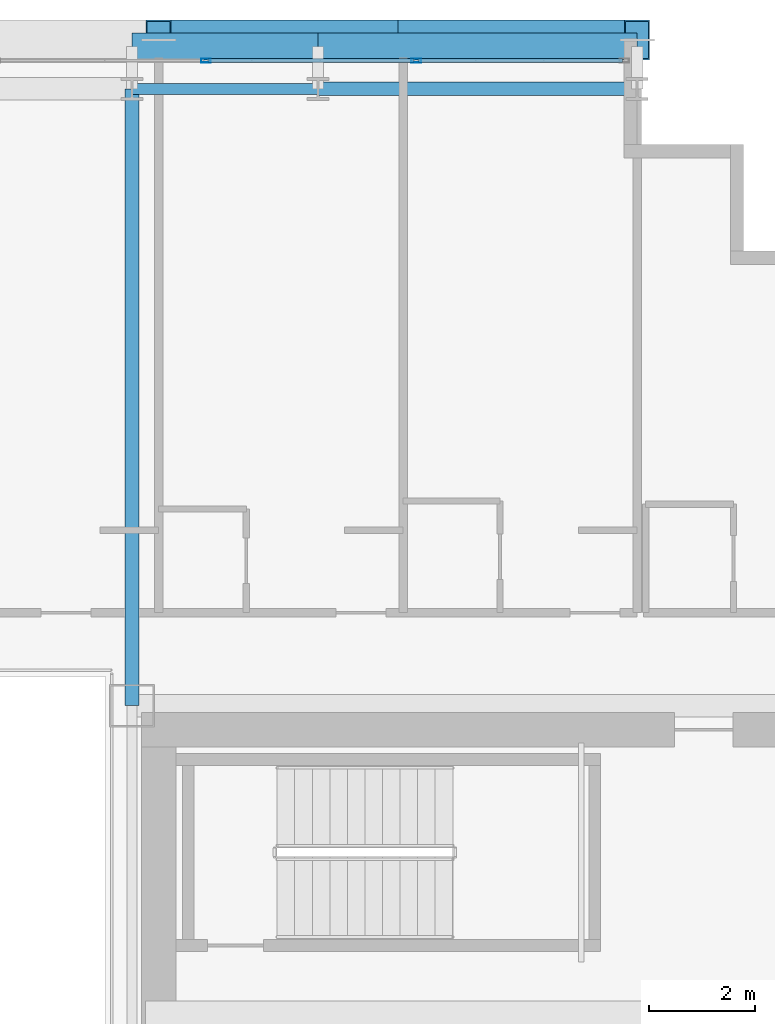
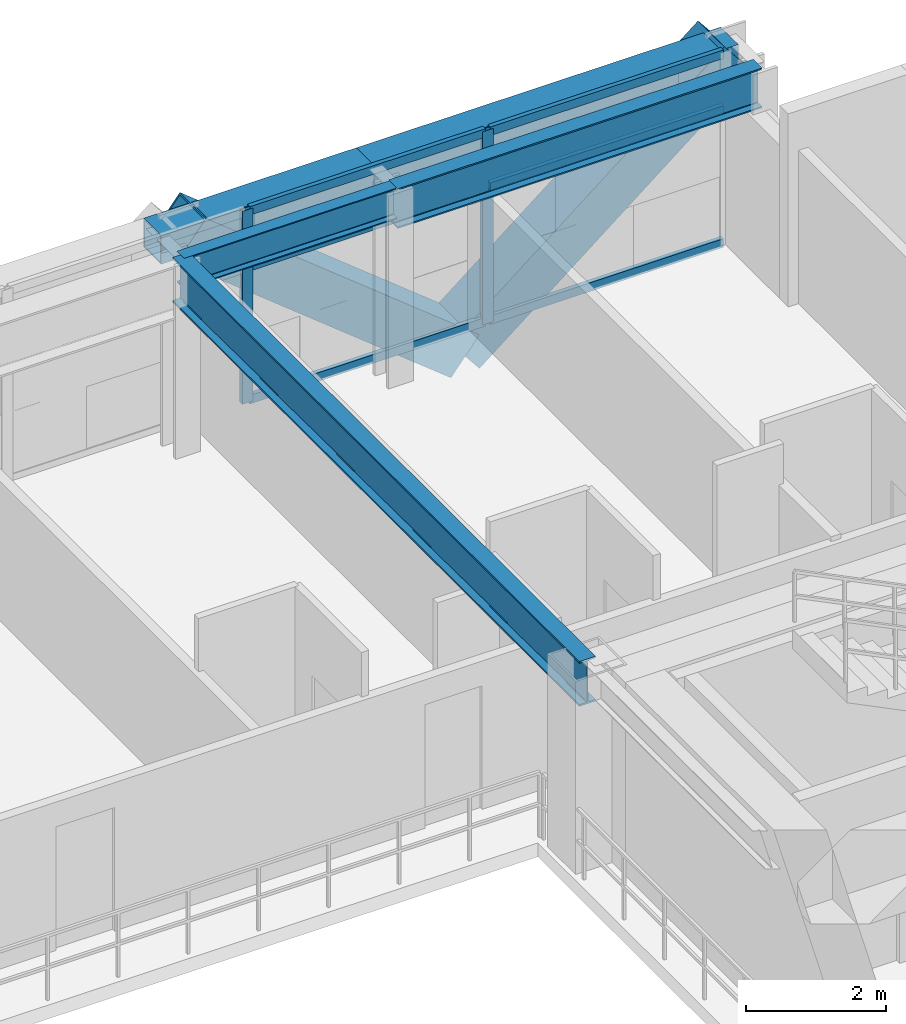
# One storey, part 21 of 35: 10 members, 5 beams, 1 element without a shape of its own.
"""IFC4 building model written with IfcOpenShell, lengths in metres."""

from ifc_helpers import new_model, si_unit, direction, frame, origin, origin_2d, place, context, subcontext, project, spatial, hollow_rectangle, i_section, extrude, source, transform, mapped, material, layer, layer_set, material_profile, profile_set, type_object, element, aggregate, save


model = new_model("IFC4")

# Units and contexts
model_context = context("Model", 3, precision=1e-05, world=origin(), true_north=direction((0.0, 1.0)))
body_context = subcontext(model_context, "Body", "Model", "MODEL_VIEW")
ifc_project = project(units=[si_unit("LENGTHUNIT", "METRE"), si_unit("AREAUNIT", "SQUARE_METRE"), si_unit("VOLUMEUNIT", "CUBIC_METRE"), si_unit("PLANEANGLEUNIT", "RADIAN"), si_unit("MASSUNIT", "GRAM", prefix="KILO")], contexts=[model_context])

# Site, building, storey
site_placement = place(None, origin())
site = spatial("IfcSite", under=ifc_project, at=site_placement, CompositionType="ELEMENT")
building_placement = place(site_placement, origin())
building = spatial("IfcBuilding", under=site, at=building_placement, Name="Ocotamira Hotel", CompositionType="ELEMENT")
storey_placement = place(building_placement, frame((0.0, 0.0, 100.800048828125)))
storey = spatial("IfcBuildingStorey", under=building, at=storey_placement, Name="L24", CompositionType="ELEMENT", Elevation=100.800048828125)

# Beams
ifc_material_1 = material(Name="Steel ASTM A992 Grade 50", Category="steel")
ifc_material_profile_1 = material_profile(ifc_material_1, i_section(OverallWidth=0.256103515625, OverallDepth=0.693115234375, WebThickness=0.014404296875, FlangeThickness=0.023681640625, FilletRadius=0.01611328125, at=origin_2d()), Name="W27X114")
ifc_profile_set_1 = profile_set([ifc_material_profile_1], Name="Steel ASTM A992 Grade 50")
beam_type_1 = type_object("IfcBeamType", Name="BM-PRIM-W27X114", PredefinedType="BEAM", material=ifc_profile_set_1)
shared_shape_1 = source(origin(), body_context, "Body", "SweptSolid", [
    extrude(i_section(OverallWidth=0.256103515625, OverallDepth=0.693115234375, WebThickness=0.014404296875, FlangeThickness=0.023681640625, FilletRadius=0.01611328125, at=origin_2d()), origin(), (0.0, 0.0, 1.0), 6.0),
])
beam_1_placement = place(storey_placement, frame((44.0, 49.050048828125, 3.013427734375), z_axis=(1.0, 0.0, 0.0), x_axis=(0.0, 1.0, 0.0)))
element("IfcBeam", 1, at=beam_1_placement, inside=storey, type_object=beam_type_1, Name="L24 Girder Y49.05 X44-50", PredefinedType="BEAM", context=body_context, shape_type="MappedRepresentation", body=[
    mapped(shared_shape_1, transform((0.0, 0.0, 0.0), scale=1.0)),
])
ifc_material_profile_2 = material_profile(ifc_material_1, i_section(OverallWidth=0.2099609375, OverallDepth=0.537109375, WebThickness=0.010986328125, FlangeThickness=0.017333984375, FilletRadius=0.012939453125, at=origin_2d()), Name="W21X68")
ifc_profile_set_2 = profile_set([ifc_material_profile_2], Name="Steel ASTM A992 Grade 50")
beam_type_2 = type_object("IfcBeamType", Name="BM-SEC-W21X68", PredefinedType="JOIST", material=ifc_profile_set_2)
shared_shape_2 = source(origin(), body_context, "Body", "SweptSolid", [
    extrude(i_section(OverallWidth=0.2099609375, OverallDepth=0.537109375, WebThickness=0.010986328125, FlangeThickness=0.017333984375, FilletRadius=0.012939453125, at=origin_2d()), origin(), (0.0, 0.0, 1.0), 3.5),
])
beam_2_placement = place(storey_placement, frame((40.5, 49.050048828125, 3.091552734375), z_axis=(1.0, 0.0, 0.0), x_axis=(0.0, 1.0, 0.0)))
element("IfcBeam", 2, at=beam_2_placement, inside=storey, type_object=beam_type_2, Name="L24 Girder Y49.05 X40.5-44", PredefinedType="JOIST", context=body_context, shape_type="MappedRepresentation", body=[
    mapped(shared_shape_2, transform((0.0, 0.0, 0.0), scale=1.0)),
])
ifc_material_profile_3 = material_profile(ifc_material_1, i_section(OverallWidth=0.26611328125, OverallDepth=0.779052734375, WebThickness=0.0166015625, FlangeThickness=0.030029296875, FilletRadius=0.01806640625, at=origin_2d()), Name="W30X148")
ifc_profile_set_3 = profile_set([ifc_material_profile_3], Name="Steel ASTM A992 Grade 50")
beam_type_3 = type_object("IfcBeamType", Name="BM-GIRD-W30X148", PredefinedType="BEAM", material=ifc_profile_set_3)
shared_shape_3 = source(origin(), body_context, "Body", "SweptSolid", [
    extrude(i_section(OverallWidth=0.26611328125, OverallDepth=0.779052734375, WebThickness=0.0166015625, FlangeThickness=0.030029296875, FilletRadius=0.01806640625, at=origin_2d()), origin(), (0.0, 0.0, 1.0), 11.60009765625),
])
beam_3_placement = place(storey_placement, frame((40.5, 37.449951171875, 2.970458984375), z_axis=(0.0, 1.0, 0.0), x_axis=(-1.0, 0.0, 0.0)))
element("IfcBeam", 3, at=beam_3_placement, inside=storey, type_object=beam_type_3, Name="L24 Beam X40.5 Y37.45-49.05", PredefinedType="BEAM", context=body_context, shape_type="MappedRepresentation", body=[
    mapped(shared_shape_3, transform((0.0, 0.0, 0.0), scale=1.0)),
])
ifc_material_2 = material(Name="Steel ASTM A500 Grade C", Category="steel")
ifc_material_profile_4 = material_profile(ifc_material_2, hollow_rectangle(XDim=0.5, YDim=0.5, WallThickness=0.02001953125, at=origin_2d()), Name="HSS500X500X20")
ifc_profile_set_4 = profile_set([ifc_material_profile_4], Name="Steel ASTM A500 Grade C")
beam_type_4 = type_object("IfcBeamType", Name="BM-SPAN-HSS500", PredefinedType="USERDEFINED", material=ifc_profile_set_4)
shared_shape_4 = source(origin(), body_context, "Body", "SweptSolid", [
    extrude(hollow_rectangle(XDim=0.5, YDim=0.5, WallThickness=0.02001953125, at=origin_2d()), origin(), (0.0, 0.0, 1.0), 6.0),
])
beam_4_placement = place(storey_placement, frame((44.0, 49.85009765625, 3.10986328125), z_axis=(1.0, 0.0, 0.0), x_axis=(0.0, 1.0, 0.0)))
element("IfcBeam", 4, at=beam_4_placement, inside=storey, type_object=beam_type_4, Name="L24 Edge Spandrel N X44-50", ObjectType="SPANDREL", PredefinedType="USERDEFINED", context=body_context, shape_type="MappedRepresentation", body=[
    mapped(shared_shape_4, transform((0.0, 0.0, 0.0), scale=1.0)),
])
shared_shape_5 = source(origin(), body_context, "Body", "SweptSolid", [
    extrude(hollow_rectangle(XDim=0.5, YDim=0.5, WallThickness=0.02001953125, at=origin_2d()), origin(), (0.0, 0.0, 1.0), 3.5),
])
beam_5_placement = place(storey_placement, frame((40.5, 49.85009765625, 3.10986328125), z_axis=(1.0, 0.0, 0.0), x_axis=(0.0, 1.0, 0.0)))
element("IfcBeam", 5, at=beam_5_placement, inside=storey, type_object=beam_type_4, Name="L24 Edge Spandrel N X40.5-44", ObjectType="SPANDREL", PredefinedType="USERDEFINED", context=body_context, shape_type="MappedRepresentation", body=[
    mapped(shared_shape_5, transform((0.0, 0.0, 0.0), scale=1.0)),
])

# Members
ifc_material_3 = material(Name="Pale-metal coated steel ASTM A913 Grade 65", Category="steel")
ifc_material_profile_5 = material_profile(ifc_material_3, hollow_rectangle(XDim=0.75, YDim=0.75, WallThickness=0.028076171875, at=origin_2d()), Name="BOX750X750X28")
ifc_profile_set_5 = profile_set([ifc_material_profile_5], Name="Pale-metal coated steel ASTM A913 Grade 65")
member_type_1 = type_object("IfcMemberType", Name="MEM-EXO-BOX750", PredefinedType="BRACE", material=ifc_profile_set_5)
shared_shape_6 = source(origin(), body_context, "Body", "SweptSolid", [
    extrude(hollow_rectangle(XDim=0.75, YDim=0.75, WallThickness=0.028076171875, at=origin_2d()), origin(), (0.0, 0.0, 1.0), 5.7626953125),
])
for number, where, z_axis, x_axis, name in (
    (6, (45.5, 49.969970703125, -0.489990234375), (-0.780881208953, 0.0, 0.624679547852), (0.0, -1.0, 0.0), "L24 Exoskeleton Diagrid N3.1"),
    (7, (45.5, 49.969970703125, -0.489990234375), (0.780881208953, 0.0, 0.624679547852), (0.0, 1.0, 0.0), "L24 Exoskeleton Diagrid N3.2"),
):
    element("IfcMember", number, at=place(storey_placement, frame(where, z_axis=z_axis, x_axis=x_axis)), inside=storey, type_object=member_type_1, Name=name, PredefinedType="BRACE", context=body_context, shape_type="MappedRepresentation", body=[
        mapped(shared_shape_6, transform((0.0, 0.0, 0.0), scale=1.0)),
    ])

# Curtain wall, members
ifc_material_4 = material(Name="Anodised pale-metal aluminium and solar glass", Category="aluminium")
ifc_layer = layer(ifc_material_4, 0.179931640625)
ifc_layer_set = layer_set([ifc_layer], Name="Anodised pale-metal aluminium and solar glass")
curtain_wall_type = type_object("IfcCurtainWallType", Name="CW-SYS3-Z2", PredefinedType="NOTDEFINED", material=ifc_layer_set)
curtain_wall_placement = place(storey_placement, origin())
curtain_wall = element("IfcCurtainWall", 8, at=curtain_wall_placement, inside=storey, type_object=curtain_wall_type, Name="L24 Curtain Wall CW-3 CW-L24-N", PredefinedType="NOTDEFINED")
ifc_material_5 = material(Name="Anodised pale-metal aluminium 6063-T6", Category="aluminium")
ifc_material_profile_6 = material_profile(ifc_material_5, hollow_rectangle(XDim=0.074951171875, YDim=0.14990234375, WallThickness=0.006103515625, at=origin_2d()), Name="HSS150X75X6")
ifc_profile_set_6 = profile_set([ifc_material_profile_6], Name="Anodised pale-metal aluminium 6063-T6")
member_type_2 = type_object("IfcMemberType", Name="CWT-150X75", PredefinedType="USERDEFINED", material=ifc_profile_set_6)
shared_shape_7 = source(origin(), body_context, "Body", "SweptSolid", [
    extrude(hollow_rectangle(XDim=0.074951171875, YDim=0.14990234375, WallThickness=0.006103515625, at=origin_2d()), origin(), (0.0, 0.0, 1.0), 3.83544921875),
])
member_1_placement = place(storey_placement, frame((45.884521484375, 49.580078125, 0.037353515625), z_axis=(1.0, 0.0, 0.0), x_axis=(0.0, 1.0, 0.0)))
member_1 = element("IfcMember", 9, at=member_1_placement, type_object=member_type_2, Name="CW-3 transom 9.1", ObjectType="TRANSOM", PredefinedType="USERDEFINED", context=body_context, shape_type="MappedRepresentation", body=[
    mapped(shared_shape_7, transform((0.0, 0.0, 0.0), scale=1.0)),
])
member_2_placement = place(storey_placement, frame((45.884521484375, 49.580078125, 2.349853515625), z_axis=(1.0, 0.0, 0.0), x_axis=(0.0, 1.0, 0.0)))
member_2 = element("IfcMember", 10, at=member_2_placement, type_object=member_type_2, Name="CW-3 transom 9.2", ObjectType="TRANSOM", PredefinedType="USERDEFINED", context=body_context, shape_type="MappedRepresentation", body=[
    mapped(shared_shape_7, transform((0.0, 0.0, 0.0), scale=1.0)),
])
member_3_placement = place(storey_placement, frame((45.884521484375, 49.580078125, 3.322509765625), z_axis=(1.0, 0.0, 0.0), x_axis=(0.0, 1.0, 0.0)))
member_3 = element("IfcMember", 11, at=member_3_placement, type_object=member_type_2, Name="CW-3 transom 9.3", ObjectType="TRANSOM", PredefinedType="USERDEFINED", context=body_context, shape_type="MappedRepresentation", body=[
    mapped(shared_shape_7, transform((0.0, 0.0, 0.0), scale=1.0)),
])
shared_shape_8 = source(origin(), body_context, "Body", "SweptSolid", [
    extrude(hollow_rectangle(XDim=0.074951171875, YDim=0.14990234375, WallThickness=0.006103515625, at=origin_2d()), origin(), (0.0, 0.0, 1.0), 3.87548828125),
])
member_4_placement = place(storey_placement, frame((41.928955078125, 49.580078125, 0.037353515625), z_axis=(1.0, 0.0, 0.0), x_axis=(0.0, 1.0, 0.0)))
member_4 = element("IfcMember", 12, at=member_4_placement, type_object=member_type_2, Name="CW-3 transom 8.1", ObjectType="TRANSOM", PredefinedType="USERDEFINED", context=body_context, shape_type="MappedRepresentation", body=[
    mapped(shared_shape_8, transform((0.0, 0.0, 0.0), scale=1.0)),
])
member_5_placement = place(storey_placement, frame((41.928955078125, 49.580078125, 2.349853515625), z_axis=(1.0, 0.0, 0.0), x_axis=(0.0, 1.0, 0.0)))
member_5 = element("IfcMember", 13, at=member_5_placement, type_object=member_type_2, Name="CW-3 transom 8.2", ObjectType="TRANSOM", PredefinedType="USERDEFINED", context=body_context, shape_type="MappedRepresentation", body=[
    mapped(shared_shape_8, transform((0.0, 0.0, 0.0), scale=1.0)),
])
member_6_placement = place(storey_placement, frame((41.928955078125, 49.580078125, 3.322509765625), z_axis=(1.0, 0.0, 0.0), x_axis=(0.0, 1.0, 0.0)))
member_6 = element("IfcMember", 14, at=member_6_placement, type_object=member_type_2, Name="CW-3 transom 8.3", ObjectType="TRANSOM", PredefinedType="USERDEFINED", context=body_context, shape_type="MappedRepresentation", body=[
    mapped(shared_shape_8, transform((0.0, 0.0, 0.0), scale=1.0)),
])
ifc_material_profile_7 = material_profile(ifc_material_5, hollow_rectangle(XDim=0.080078125, YDim=0.179931640625, WallThickness=0.006103515625, at=origin_2d()), Name="HSS180X80X6")
ifc_profile_set_7 = profile_set([ifc_material_profile_7], Name="Anodised pale-metal aluminium 6063-T6")
member_type_3 = type_object("IfcMemberType", Name="CWM-180X75", PredefinedType="MULLION", material=ifc_profile_set_7)
shared_shape_9 = source(origin(), body_context, "Body", "SweptSolid", [
    extrude(hollow_rectangle(XDim=0.080078125, YDim=0.179931640625, WallThickness=0.006103515625, at=origin_2d()), origin(), (0.0, 0.0, 1.0), 3.35986328125),
])
member_7_placement = place(storey_placement, frame((41.888916015625, 49.580078125, 0.0), z_axis=(0.0, 0.0, 1.0), x_axis=(0.0, 1.0, 0.0)))
member_7 = element("IfcMember", 15, at=member_7_placement, type_object=member_type_3, Name="CW-3 mullion 8", PredefinedType="MULLION", context=body_context, shape_type="MappedRepresentation", body=[
    mapped(shared_shape_9, transform((0.0, 0.0, 0.0), scale=1.0)),
])
member_8_placement = place(storey_placement, frame((45.844482421875, 49.580078125, 0.0), z_axis=(0.0, 0.0, 1.0), x_axis=(0.0, 1.0, 0.0)))
member_8 = element("IfcMember", 16, at=member_8_placement, type_object=member_type_3, Name="CW-3 mullion 9", PredefinedType="MULLION", context=body_context, shape_type="MappedRepresentation", body=[
    mapped(shared_shape_9, transform((0.0, 0.0, 0.0), scale=1.0)),
])
aggregate(curtain_wall, [member_7, member_8, member_4, member_5, member_6, member_1, member_2, member_3])

save(model, "model.ifc")
